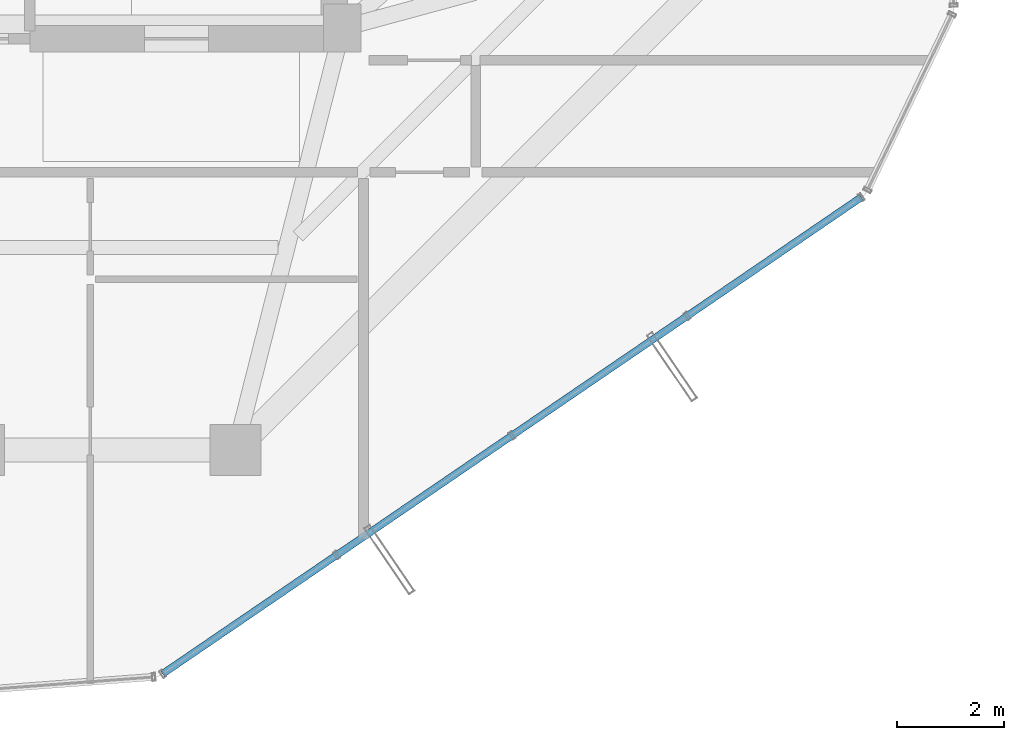
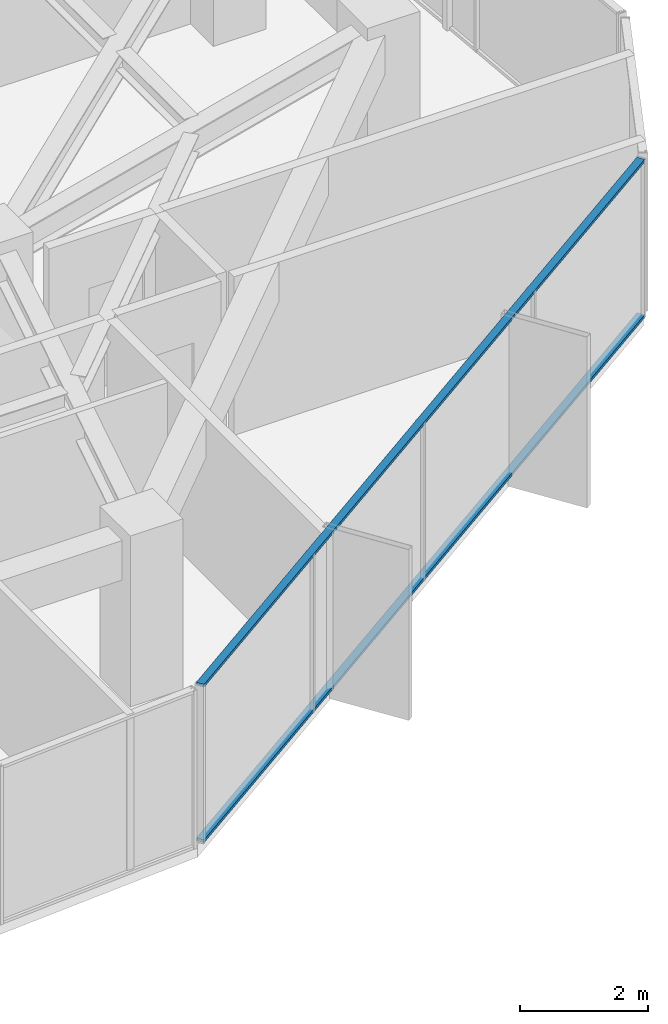
# One storey, part 9 of 34: 2 members, 1 element without a shape of its own.
"""IFC4 building model written with IfcOpenShell, lengths in metres."""

from ifc_helpers import new_model, si_unit, direction, frame, origin, origin_2d, place, context, subcontext, project, spatial, hollow_rectangle, extrude, source, transform, mapped, material, layer, layer_set, material_profile, profile_set, type_object, element, aggregate, save


model = new_model("IFC4")

# Units and contexts
model_context = context("Model", 3, precision=1e-05, world=origin(), true_north=direction((0.0, 1.0)))
body_context = subcontext(model_context, "Body", "Model", "MODEL_VIEW")
ifc_project = project(units=[si_unit("LENGTHUNIT", "METRE"), si_unit("AREAUNIT", "SQUARE_METRE"), si_unit("VOLUMEUNIT", "CUBIC_METRE"), si_unit("PLANEANGLEUNIT", "RADIAN"), si_unit("MASSUNIT", "GRAM", prefix="KILO")], contexts=[model_context])

# Site, building, storey
site_placement = place(None, origin())
site = spatial("IfcSite", under=ifc_project, at=site_placement, CompositionType="ELEMENT")
building_placement = place(site_placement, origin())
building = spatial("IfcBuilding", under=site, at=building_placement, Name="Veraguas Prism Commons", CompositionType="ELEMENT")
storey_placement = place(building_placement, frame((0.0, 0.0, 191.85009765625)))
storey = spatial("IfcBuildingStorey", under=building, at=storey_placement, Name="L54", CompositionType="ELEMENT", Elevation=191.85009765625)

# Curtain wall, members
ifc_material = material(Name="Anodised aluminium EN AW-6063 T6", Category="aluminium")
ifc_layer = layer(ifc_material, 0.14990234375, Name="Unitised Flush Curtain Wall Zone 3", Category="aluminium")
ifc_layer_set = layer_set([ifc_layer], Name="Anodised aluminium EN AW-6063 T6")
curtain_wall_type = type_object("IfcCurtainWallType", Name="Unitised Flush Curtain Wall Zone 3", PredefinedType="NOTDEFINED", material=ifc_layer_set)
curtain_wall_placement = place(storey_placement, origin())
curtain_wall = element("IfcCurtainWall", 1, at=curtain_wall_placement, inside=storey, type_object=curtain_wall_type, Name="Tower Facade Curtain Wall L54-F5", PredefinedType="NOTDEFINED")
ifc_material_profile = material_profile(ifc_material, hollow_rectangle(XDim=0.054931640625, YDim=0.135009765625, WallThickness=0.0029296875, at=origin_2d()), Name="AL55X135X3")
ifc_profile_set = profile_set([ifc_material_profile], Name="Anodised aluminium EN AW-6063 T6")
member_type = type_object("IfcMemberType", Name="Curtain Wall Transom Standard AL 55x135x3", PredefinedType="USERDEFINED", material=ifc_profile_set)
shared_shape = source(origin(), body_context, "Body", "SweptSolid", [
    extrude(hollow_rectangle(XDim=0.054931640625, YDim=0.135009765625, WallThickness=0.0029296875, at=origin_2d()), origin(), (0.0, 0.0, 1.0), 15.842529296875),
])
member_1_placement = place(storey_placement, frame((27.4365234375, 4.90576171875, 0.02734375), z_axis=(0.826094950592, 0.563530950887, 0.0), x_axis=(0.0, 0.0, 1.0)))
member_1 = element("IfcMember", 2, at=member_1_placement, type_object=member_type, Name="CW-Z3 Transom 1", ObjectType="TRANSOM", PredefinedType="USERDEFINED", context=body_context, shape_type="MappedRepresentation", body=[
    mapped(shared_shape, transform((0.0, 0.0, 0.0), scale=1.0)),
])
member_2_placement = place(storey_placement, frame((27.4365234375, 4.90576171875, 2.9873046875), z_axis=(0.826094950592, 0.563530950887, 0.0), x_axis=(0.0, 0.0, 1.0)))
member_2 = element("IfcMember", 3, at=member_2_placement, type_object=member_type, Name="CW-Z3 Transom 2", ObjectType="TRANSOM", PredefinedType="USERDEFINED", context=body_context, shape_type="MappedRepresentation", body=[
    mapped(shared_shape, transform((0.0, 0.0, 0.0), scale=1.0)),
])
aggregate(curtain_wall, [member_1, member_2])

save(model, "model.ifc")
